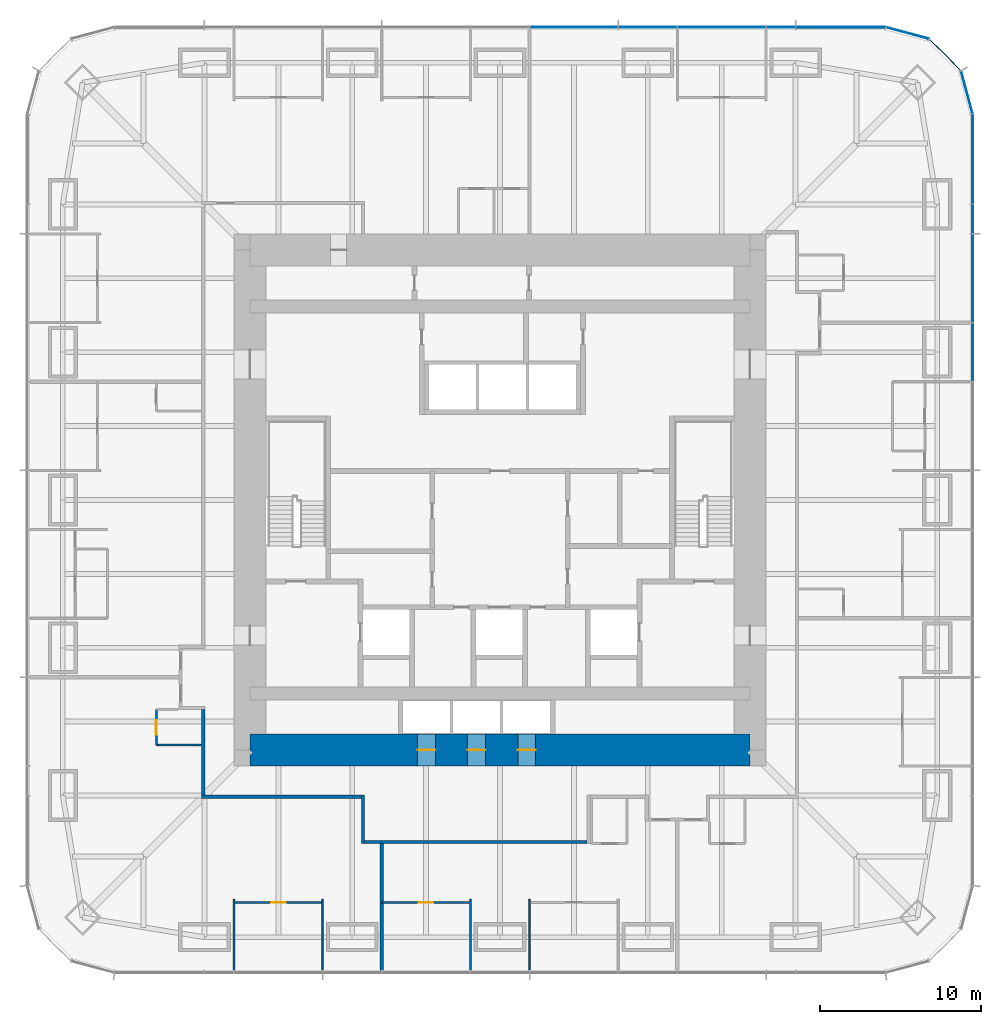
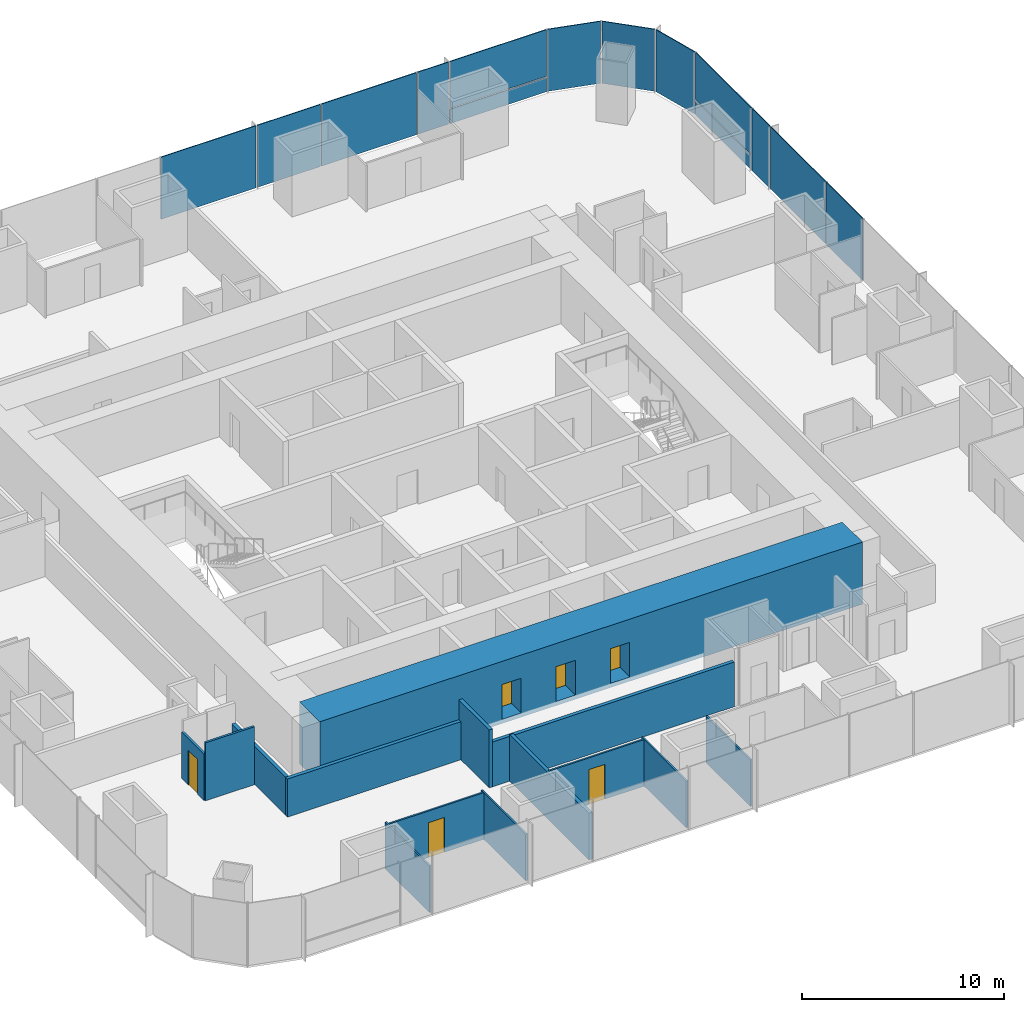
# One storey, part 8 of 13: 14 plates, 14 walls, 6 doors, 6 openings, 3 elements without a shape of their own.
"""IFC4 building model written with IfcOpenShell, lengths in metres."""

from ifc_helpers import new_model, si_unit, direction, frame, frame_2d, origin, origin_2d, place, context, subcontext, project, spatial, rectangle, extrude, material, layer, layer_set, type_object, element, fill, aggregate, save


model = new_model("IFC4")

# Units and contexts
model_context = context("Model", 3, precision=1e-05, world=origin(), true_north=direction((0.0, 1.0)))
body_context = subcontext(model_context, "Body", "Model", "MODEL_VIEW")
ifc_project = project(units=[si_unit("LENGTHUNIT", "METRE"), si_unit("AREAUNIT", "SQUARE_METRE"), si_unit("VOLUMEUNIT", "CUBIC_METRE"), si_unit("PLANEANGLEUNIT", "RADIAN"), si_unit("MASSUNIT", "GRAM", prefix="KILO")], contexts=[model_context])

# Site, building, storey
site_placement = place(None, origin())
site = spatial("IfcSite", under=ifc_project, at=site_placement, CompositionType="ELEMENT")
building_placement = place(site_placement, origin())
building = spatial("IfcBuilding", under=site, at=building_placement, Name="Khuree Lantern Residences", CompositionType="ELEMENT")
storey_placement = place(building_placement, frame((0.0, 0.0, 111.0)))
storey = spatial("IfcBuildingStorey", under=building, at=storey_placement, Name="L27", CompositionType="ELEMENT", Elevation=111.0)

# Curtain wall, plates
ifc_material_1 = material(Name="Bronze anodised aluminium", Category="aluminium")
curtain_wall_type_1 = type_object("IfcCurtainWallType", Name="CW-T2 TOWER CORNER CURTAIN WALL", PredefinedType="USERDEFINED", material=ifc_material_1)
curtain_wall_1_placement = place(storey_placement, origin())
curtain_wall_1 = element("IfcCurtainWall", 1, at=curtain_wall_1_placement, inside=storey, type_object=curtain_wall_type_1, Name="L27 NORTH-EAST CORNER CURTAIN WALL", ObjectType="Faceted corner curtain wall", PredefinedType="USERDEFINED")
ifc_material_2 = material(Name="Bronze tinted triple glazing", Category="glass")
ifc_layer_1 = layer(ifc_material_2, 0.048095703125)
ifc_layer_set_1 = layer_set([ifc_layer_1], Name="FACET PANEL P4")
plate_type_1 = type_object("IfcPlateType", Name="FACET PANEL P4", PredefinedType="CURTAIN_PANEL", material=ifc_layer_set_1)
plate_1_placement = place(storey_placement, frame((28.938720703125, 25.248046875, 0.0), z_axis=(0.0, 0.0, 1.0), x_axis=(-0.258819105321, 0.965925810153, 0.0)))
plate_1 = element("IfcPlate", 2, at=plate_1_placement, type_object=plate_type_1, Name="L27 NORTH-EAST CORNER PANEL 15.1", PredefinedType="CURTAIN_PANEL", context=body_context, shape_type="SweptSolid", body=[
    extrude(rectangle(XDim=2.71923828125, YDim=0.048095703125, at=origin_2d()), origin(), (0.0, 0.0, 1.0), 3.75),
])
plate_2_placement = place(storey_placement, frame((27.58837890625, 27.58837890625, 0.0), z_axis=(0.0, 0.0, 1.0), x_axis=(-0.707106781187, 0.707106781187, 0.0)))
plate_2 = element("IfcPlate", 3, at=plate_2_placement, type_object=plate_type_1, Name="L27 NORTH-EAST CORNER PANEL 16.1", PredefinedType="CURTAIN_PANEL", context=body_context, shape_type="SweptSolid", body=[
    extrude(rectangle(XDim=2.715087890625, YDim=0.048095703125, at=origin_2d()), origin(), (0.0, 0.0, 1.0), 3.75),
])
plate_3_placement = place(storey_placement, frame((25.248046875, 28.938720703125, 0.0), z_axis=(0.0, 0.0, 1.0), x_axis=(-0.965925810153, 0.258819105321, 0.0)))
plate_3 = element("IfcPlate", 4, at=plate_3_placement, type_object=plate_type_1, Name="L27 NORTH-EAST CORNER PANEL 17.1", PredefinedType="CURTAIN_PANEL", context=body_context, shape_type="SweptSolid", body=[
    extrude(rectangle(XDim=2.71923828125, YDim=0.048095703125, at=origin_2d()), origin(), (0.0, 0.0, 1.0), 3.75),
])
aggregate(curtain_wall_1, [plate_1, plate_2, plate_3])

# Curtain wall, plate
curtain_wall_type_2 = type_object("IfcCurtainWallType", Name="CW-T1 TOWER FACE CURTAIN WALL", PredefinedType="USERDEFINED", material=ifc_material_1)
curtain_wall_2_placement = place(storey_placement, origin())
curtain_wall_2 = element("IfcCurtainWall", 5, at=curtain_wall_2_placement, inside=storey, type_object=curtain_wall_type_2, Name="L27 EAST FACE CURTAIN WALL", ObjectType="Stick-built curtain wall", PredefinedType="USERDEFINED")
ifc_material_3 = material(Name="Bronze tinted triple glazing with a ceramic-fritted spandrel band", Category="glass")
ifc_layer_2 = layer(ifc_material_3, 0.048095703125)
ifc_layer_set_2 = layer_set([ifc_layer_2], Name="FIXED LIGHT PANEL P11")
plate_type_2 = type_object("IfcPlateType", Name="FIXED LIGHT PANEL P11", PredefinedType="CURTAIN_PANEL", material=ifc_layer_set_2)
plate_4_placement = place(storey_placement, frame((29.300048828125, 13.739990234375, 0.0), z_axis=(0.0, 0.0, 1.0), x_axis=(0.0, 1.0, 0.0)))
plate_4 = element("IfcPlate", 6, at=plate_4_placement, type_object=plate_type_2, Name="L27 EAST FACE PANEL 12.1", PredefinedType="CURTAIN_PANEL", context=body_context, shape_type="SweptSolid", body=[
    extrude(rectangle(XDim=5.430908203125, YDim=0.048095703125, at=origin_2d()), origin(), (0.0, 0.0, 1.0), 3.75),
])

# Curtain wall, plates
curtain_wall_3_placement = place(storey_placement, origin())
curtain_wall_3 = element("IfcCurtainWall", 7, at=curtain_wall_3_placement, inside=storey, type_object=curtain_wall_type_2, Name="L27 NORTH FACE CURTAIN WALL", ObjectType="Stick-built curtain wall", PredefinedType="USERDEFINED")
plate_5_placement = place(storey_placement, frame((13.739990234375, 29.300048828125, 0.0), z_axis=(0.0, 0.0, 1.0), x_axis=(-1.0, 0.0, 0.0)))
plate_5 = element("IfcPlate", 8, at=plate_5_placement, type_object=plate_type_2, Name="L27 NORTH FACE PANEL 20.1", PredefinedType="CURTAIN_PANEL", context=body_context, shape_type="SweptSolid", body=[
    extrude(rectangle(XDim=5.430908203125, YDim=0.048095703125, at=origin_2d()), origin(), (0.0, 0.0, 1.0), 3.75),
])
plate_6_placement = place(storey_placement, frame((4.580078125, 29.300048828125, 0.0), z_axis=(0.0, 0.0, 1.0), x_axis=(-1.0, 0.0, 0.0)))
plate_6 = element("IfcPlate", 9, at=plate_6_placement, type_object=plate_type_2, Name="L27 NORTH FACE PANEL 22.1", PredefinedType="CURTAIN_PANEL", context=body_context, shape_type="SweptSolid", body=[
    extrude(rectangle(XDim=5.430908203125, YDim=0.048095703125, at=origin_2d()), origin(), (0.0, 0.0, 1.0), 3.75),
])

# Plate
ifc_material_4 = material(Name="Bronze tinted triple glazing, two aluminium-framed sashes in one frame", Category="aluminium")
ifc_layer_3 = layer(ifc_material_4, 0.048095703125)
ifc_layer_set_3 = layer_set([ifc_layer_3], Name="SASH PAIR PANEL P12")
plate_type_3 = type_object("IfcPlateType", Name="SASH PAIR PANEL P12", PredefinedType="CURTAIN_PANEL", material=ifc_layer_set_3)
plate_7_placement = place(storey_placement, frame((29.300048828125, 9.159912109375, 0.0), z_axis=(0.0, 0.0, 1.0), x_axis=(0.0, 1.0, 0.0)))
plate_7 = element("IfcPlate", 10, at=plate_7_placement, type_object=plate_type_3, Name="L27 EAST FACE PANEL 11.1", PredefinedType="CURTAIN_PANEL", context=body_context, shape_type="SweptSolid", body=[
    extrude(rectangle(XDim=3.59912109375, YDim=0.048095703125, at=origin_2d()), origin(), (0.0, 0.0, 1.0), 3.75),
])

plate_8_placement = place(storey_placement, frame((9.159912109375, 29.300048828125, 0.0), z_axis=(0.0, 0.0, 1.0), x_axis=(-1.0, 0.0, 0.0)))
plate_8 = element("IfcPlate", 11, at=plate_8_placement, type_object=plate_type_3, Name="L27 NORTH FACE PANEL 21.1", PredefinedType="CURTAIN_PANEL", context=body_context, shape_type="SweptSolid", body=[
    extrude(rectangle(XDim=3.59912109375, YDim=0.048095703125, at=origin_2d()), origin(), (0.0, 0.0, 1.0), 3.75),
])

ifc_material_5 = material(Name="Bronze tinted triple glazing, aluminium-framed sash", Category="aluminium")
ifc_layer_4 = layer(ifc_material_5, 0.048095703125)
ifc_layer_set_4 = layer_set([ifc_layer_4], Name="SASH PANEL P3")
plate_type_4 = type_object("IfcPlateType", Name="SASH PANEL P3", PredefinedType="CURTAIN_PANEL", material=ifc_layer_set_4)
plate_9_placement = place(storey_placement, frame((29.300048828125, 17.404052734375, 0.0), z_axis=(0.0, 0.0, 1.0), x_axis=(0.0, 1.0, 0.0)))
plate_9 = element("IfcPlate", 12, at=plate_9_placement, type_object=plate_type_4, Name="L27 EAST FACE PANEL 13.1", PredefinedType="CURTAIN_PANEL", context=body_context, shape_type="SweptSolid", body=[
    extrude(rectangle(XDim=1.76708984375, YDim=0.048095703125, at=origin_2d()), origin(), (0.0, 0.0, 1.0), 3.75),
])

plate_10_placement = place(storey_placement, frame((17.404052734375, 29.300048828125, 0.0), z_axis=(0.0, 0.0, 1.0), x_axis=(-1.0, 0.0, 0.0)))
plate_10 = element("IfcPlate", 13, at=plate_10_placement, type_object=plate_type_4, Name="L27 NORTH FACE PANEL 19.1", PredefinedType="CURTAIN_PANEL", context=body_context, shape_type="SweptSolid", body=[
    extrude(rectangle(XDim=1.76708984375, YDim=0.048095703125, at=origin_2d()), origin(), (0.0, 0.0, 1.0), 3.75),
])

ifc_material_6 = material(Name="Bronze anodised aluminium insulated spandrel", Category="aluminium")
ifc_layer_5 = layer(ifc_material_6, 0.06005859375)
ifc_layer_set_5 = layer_set([ifc_layer_5], Name="SPANDREL PANEL P2")
plate_type_5 = type_object("IfcPlateType", Name="SPANDREL PANEL P2", PredefinedType="CURTAIN_PANEL", material=ifc_layer_set_5)
plate_11_placement = place(storey_placement, frame((29.300048828125, 21.10791015625, 0.0), z_axis=(0.0, 0.0, 1.0), x_axis=(0.0, 1.0, 0.0)))
plate_11 = element("IfcPlate", 14, at=plate_11_placement, type_object=plate_type_5, Name="L27 EAST FACE PANEL 14.1", PredefinedType="CURTAIN_PANEL", context=body_context, shape_type="SweptSolid", body=[
    extrude(rectangle(XDim=5.5107421875, YDim=0.06005859375, at=origin_2d()), origin(), (0.0, 0.0, 1.0), 0.867431640625),
])

plate_12_placement = place(storey_placement, frame((21.10791015625, 29.300048828125, 0.0), z_axis=(0.0, 0.0, 1.0), x_axis=(-1.0, 0.0, 0.0)))
plate_12 = element("IfcPlate", 15, at=plate_12_placement, type_object=plate_type_5, Name="L27 NORTH FACE PANEL 18.1", PredefinedType="CURTAIN_PANEL", context=body_context, shape_type="SweptSolid", body=[
    extrude(rectangle(XDim=5.5107421875, YDim=0.06005859375, at=origin_2d()), origin(), (0.0, 0.0, 1.0), 0.867431640625),
])

ifc_layer_6 = layer(ifc_material_2, 0.048095703125)
ifc_layer_set_6 = layer_set([ifc_layer_6], Name="VISION PANEL P1")
plate_type_6 = type_object("IfcPlateType", Name="VISION PANEL P1", PredefinedType="CURTAIN_PANEL", material=ifc_layer_set_6)
plate_13_placement = place(storey_placement, frame((29.300048828125, 21.1083984375, 0.9326171875), z_axis=(0.0, 0.0, 1.0), x_axis=(0.0, 1.0, 0.0)))
plate_13 = element("IfcPlate", 16, at=plate_13_placement, type_object=plate_type_6, Name="L27 EAST FACE PANEL 14.2", PredefinedType="CURTAIN_PANEL", context=body_context, shape_type="SweptSolid", body=[
    extrude(rectangle(XDim=5.511474609375, YDim=0.048095703125, at=origin_2d()), origin(), (0.0, 0.0, 1.0), 2.8173828125),
])

aggregate(curtain_wall_2, [plate_7, plate_4, plate_9, plate_11, plate_13])

plate_14_placement = place(storey_placement, frame((21.1083984375, 29.300048828125, 0.9326171875), z_axis=(0.0, 0.0, 1.0), x_axis=(-1.0, 0.0, 0.0)))
plate_14 = element("IfcPlate", 17, at=plate_14_placement, type_object=plate_type_6, Name="L27 NORTH FACE PANEL 18.2", PredefinedType="CURTAIN_PANEL", context=body_context, shape_type="SweptSolid", body=[
    extrude(rectangle(XDim=5.511474609375, YDim=0.048095703125, at=origin_2d()), origin(), (0.0, 0.0, 1.0), 2.8173828125),
])

aggregate(curtain_wall_3, [plate_12, plate_14, plate_10, plate_5, plate_8, plate_6])

# Wall, opening, door
ifc_material_7 = material(Name="Moisture-resistant gypsum board on steel studs", Category="steel")
ifc_layer_7 = layer(ifc_material_7, 0.125)
ifc_layer_set_7 = layer_set([ifc_layer_7], Name="BATHROOM WALL BTW125")
wall_type_1 = type_object("IfcWallType", Name="BATHROOM WALL BTW125", PredefinedType="PARTITIONING", material=ifc_layer_set_7)
wall_1_placement = place(storey_placement, frame((-21.300048828125, -12.991943359375, 0.0), z_axis=(0.0, 0.0, 1.0), x_axis=(0.0, -1.0, 0.0)))
wall_1 = element("IfcWall", 18, at=wall_1_placement, inside=storey, type_object=wall_type_1, Name="L27 BATHROOM WALL 05", PredefinedType="PARTITIONING", context=body_context, shape_type="SweptSolid", body=[
    extrude(rectangle(XDim=2.199951171875, YDim=0.125, at=frame_2d((1.10009765625, 0.0))), origin(), (0.0, 0.0, 1.0), 2.81005859375),
])
opening_1_placement = place(wall_1_placement, frame((0.64990234375, 0.0, 0.0)))
opening_1 = element("IfcOpeningElement", 19, at=opening_1_placement, cuts=wall_1, Name="Opening 27-046", PredefinedType="OPENING", context=body_context, shape_type="SweptSolid", body=[
    extrude(rectangle(XDim=0.89990234375, YDim=2.10009765625, at=frame_2d((0.449951171875, 1.050048828125))), frame((0.0, 0.072509765625, 0.0), z_axis=(0.0, -1.0, 0.0), x_axis=(1.0, 0.0, 0.0)), (0.0, 0.0, 1.0), 0.14501953125),
])
ifc_material_8 = material(Name="Timber door leaf in hardwood frame", Category="wood")
door_type_1 = type_object("IfcDoorType", Name="BATHROOM DOOR 900X2100", OperationType="SINGLE_SWING_LEFT", PredefinedType="DOOR", material=ifc_material_8)
door_1_placement = place(opening_1_placement, origin())
door_1 = element("IfcDoor", 20, at=door_1_placement, inside=storey, type_object=door_type_1, Name="Bathroom door 27-046", OperationType="SINGLE_SWING_LEFT", OverallHeight=2.10009765625, OverallWidth=0.89990234375, PredefinedType="DOOR", context=body_context, shape_type="SweptSolid", body=[
    extrude(rectangle(XDim=0.89990234375, YDim=2.10009765625, at=frame_2d((0.449951171875, 1.050048828125))), frame((0.0, 0.02490234375, 0.0), z_axis=(0.0, -1.0, 0.0), x_axis=(1.0, 0.0, 0.0)), (0.0, 0.0, 1.0), 0.050048828125),
])
fill(opening_1, door_1)

# Walls
wall_2_placement = place(storey_placement, frame((-18.5, -15.19189453125, 0.0), z_axis=(0.0, 0.0, 1.0), x_axis=(-1.0, 0.0, 0.0)))
element("IfcWall", 21, at=wall_2_placement, inside=storey, type_object=wall_type_1, Name="L27 BATHROOM WALL 05", PredefinedType="PARTITIONING", context=body_context, shape_type="SweptSolid", body=[
    extrude(rectangle(XDim=2.800048828125, YDim=0.125, at=frame_2d((1.39990234375, 0.0))), origin(), (0.0, 0.0, 1.0), 3.5),
])
ifc_material_9 = material(Name="Gypsum board on steel studs", Category="steel")
ifc_layer_8 = layer(ifc_material_9, 0.199951171875)
ifc_layer_set_8 = layer_set([ifc_layer_8], Name="CORRIDOR WALL CRW200 EI 60")
wall_type_2 = type_object("IfcWallType", Name="CORRIDOR WALL CRW200 EI 60", PredefinedType="PARTITIONING", material=ifc_layer_set_8)
wall_3_placement = place(storey_placement, frame((-18.39990234375, -12.991943359375, 0.0), z_axis=(0.0, 0.0, 1.0), x_axis=(0.0, -1.0, 0.0)))
element("IfcWall", 22, at=wall_3_placement, inside=storey, type_object=wall_type_2, Name="L27 CORRIDOR WALL WEST 2", PredefinedType="PARTITIONING", context=body_context, shape_type="SweptSolid", body=[
    extrude(rectangle(XDim=5.30810546875, YDim=0.199951171875, at=frame_2d((2.654052734375, 0.0))), origin(), (0.0, 0.0, 1.0), 2.300048828125),
])
wall_4_placement = place(storey_placement, frame((-8.5, -18.300048828125, 0.0), z_axis=(0.0, 0.0, 1.0), x_axis=(0.0, -1.0, 0.0)))
element("IfcWall", 23, at=wall_4_placement, inside=storey, type_object=wall_type_2, Name="L27 LIFT LOBBY WALL", PredefinedType="PARTITIONING", context=body_context, shape_type="SweptSolid", body=[
    extrude(rectangle(XDim=3.0, YDim=0.199951171875, at=frame_2d((1.5, 0.0))), origin(), (0.0, 0.0, 1.0), 3.5),
])
wall_5_placement = place(storey_placement, frame((5.39990234375, -21.199951171875, 0.0), z_axis=(0.0, 0.0, 1.0), x_axis=(-1.0, 0.0, 0.0)))
element("IfcWall", 24, at=wall_5_placement, inside=storey, type_object=wall_type_2, Name="L27 LIFT LOBBY WALL", PredefinedType="PARTITIONING", context=body_context, shape_type="SweptSolid", body=[
    extrude(rectangle(XDim=13.7998046875, YDim=0.199951171875, at=frame_2d((6.89990234375, 0.0))), origin(), (0.0, 0.0, 1.0), 2.699951171875),
])
wall_6_placement = place(storey_placement, frame((-8.60009765625, -18.39990234375, 0.0), z_axis=(0.0, 0.0, 1.0), x_axis=(-1.0, 0.0, 0.0)))
element("IfcWall", 25, at=wall_6_placement, inside=storey, type_object=wall_type_2, Name="L27 CORRIDOR WALL SOUTH 3", PredefinedType="PARTITIONING", context=body_context, shape_type="SweptSolid", body=[
    extrude(rectangle(XDim=9.89990234375, YDim=0.199951171875, at=frame_2d((4.949951171875, 0.0))), origin(), (0.0, 0.0, 1.0), 2.300048828125),
])

# Wall, openings, doors
ifc_material_10 = material(Name="Concrete C70/85", Category="concrete")
ifc_layer_9 = layer(ifc_material_10, 2.0)
ifc_layer_set_9 = layer_set([ifc_layer_9], Name="CW2000-C70 CORE WALL C70 2000")
wall_type_3 = type_object("IfcWallType", Name="CW2000-C70 CORE WALL C70 2000", PredefinedType="SHEAR", material=ifc_layer_set_9)
wall_7_placement = place(storey_placement, frame((-15.5, -15.5, -0.25), z_axis=(0.0, 0.0, 1.0), x_axis=(1.0, 0.0, 0.0)))
wall_7 = element("IfcWall", 26, at=wall_7_placement, inside=storey, type_object=wall_type_3, Name="Core wall S", PredefinedType="SHEAR", context=body_context, shape_type="SweptSolid", body=[
    extrude(rectangle(XDim=31.0, YDim=2.0, at=frame_2d((15.5, 0.0))), origin(), (0.0, 0.0, 1.0), 3.75),
])
opening_2_placement = place(wall_7_placement, frame((10.39990234375, 0.0, 0.25)))
opening_2 = element("IfcOpeningElement", 27, at=opening_2_placement, cuts=wall_7, Name="Opening 27-009", PredefinedType="OPENING", context=body_context, shape_type="SweptSolid", body=[
    extrude(rectangle(XDim=1.10009765625, YDim=2.10009765625, at=frame_2d((0.550048828125, 1.050048828125))), frame((0.0, 1.010009765625, 0.0), z_axis=(0.0, -1.0, 0.0), x_axis=(1.0, 0.0, 0.0)), (0.0, 0.0, 1.0), 2.02001953125),
])
opening_3_placement = place(wall_7_placement, frame((13.5, 0.0, 0.25)))
opening_3 = element("IfcOpeningElement", 28, at=opening_3_placement, cuts=wall_7, Name="Opening 27-010", PredefinedType="OPENING", context=body_context, shape_type="SweptSolid", body=[
    extrude(rectangle(XDim=1.10009765625, YDim=2.10009765625, at=frame_2d((0.550048828125, 1.050048828125))), frame((0.0, 1.010009765625, 0.0), z_axis=(0.0, -1.0, 0.0), x_axis=(1.0, 0.0, 0.0)), (0.0, 0.0, 1.0), 2.02001953125),
])
opening_4_placement = place(wall_7_placement, frame((16.60009765625, 0.0, 0.25)))
opening_4 = element("IfcOpeningElement", 29, at=opening_4_placement, cuts=wall_7, Name="Opening 27-011", PredefinedType="OPENING", context=body_context, shape_type="SweptSolid", body=[
    extrude(rectangle(XDim=1.10009765625, YDim=2.10009765625, at=frame_2d((0.550048828125, 1.050048828125))), frame((0.0, 1.010009765625, 0.0), z_axis=(0.0, -1.0, 0.0), x_axis=(1.0, 0.0, 0.0)), (0.0, 0.0, 1.0), 2.02001953125),
])
ifc_material_11 = material(Name="Stainless steel lift landing door", Category="steel")
door_type_2 = type_object("IfcDoorType", Name="LIFT LANDING DOOR 1100X2100 E 60", OperationType="DOUBLE_DOOR_SLIDING", PredefinedType="DOOR", material=ifc_material_11)
door_2_placement = place(opening_2_placement, origin())
door_2 = element("IfcDoor", 30, at=door_2_placement, inside=storey, type_object=door_type_2, Name="Landing door PM1 27-009", OperationType="DOUBLE_DOOR_SLIDING", OverallHeight=2.10009765625, OverallWidth=1.10009765625, PredefinedType="DOOR", context=body_context, shape_type="SweptSolid", body=[
    extrude(rectangle(XDim=1.10009765625, YDim=2.10009765625, at=frame_2d((0.550048828125, 1.050048828125))), frame((0.0, 0.02490234375, 0.0), z_axis=(0.0, -1.0, 0.0), x_axis=(1.0, 0.0, 0.0)), (0.0, 0.0, 1.0), 0.050048828125),
])
fill(opening_2, door_2)
door_3_placement = place(opening_3_placement, origin())
door_3 = element("IfcDoor", 31, at=door_3_placement, inside=storey, type_object=door_type_2, Name="Landing door PM2 27-010", OperationType="DOUBLE_DOOR_SLIDING", OverallHeight=2.10009765625, OverallWidth=1.10009765625, PredefinedType="DOOR", context=body_context, shape_type="SweptSolid", body=[
    extrude(rectangle(XDim=1.10009765625, YDim=2.10009765625, at=frame_2d((0.550048828125, 1.050048828125))), frame((0.0, 0.02490234375, 0.0), z_axis=(0.0, -1.0, 0.0), x_axis=(1.0, 0.0, 0.0)), (0.0, 0.0, 1.0), 0.050048828125),
])
fill(opening_3, door_3)
door_4_placement = place(opening_4_placement, origin())
door_4 = element("IfcDoor", 32, at=door_4_placement, inside=storey, type_object=door_type_2, Name="Landing door PM3 27-011", OperationType="DOUBLE_DOOR_SLIDING", OverallHeight=2.10009765625, OverallWidth=1.10009765625, PredefinedType="DOOR", context=body_context, shape_type="SweptSolid", body=[
    extrude(rectangle(XDim=1.10009765625, YDim=2.10009765625, at=frame_2d((0.550048828125, 1.050048828125))), frame((0.0, 0.02490234375, 0.0), z_axis=(0.0, -1.0, 0.0), x_axis=(1.0, 0.0, 0.0)), (0.0, 0.0, 1.0), 0.050048828125),
])
fill(opening_4, door_4)

# Walls
ifc_layer_10 = layer(ifc_material_9, 0.199951171875)
ifc_layer_set_10 = layer_set([ifc_layer_10], Name="DEMISING WALL DMW200 EI 90")
wall_type_4 = type_object("IfcWallType", Name="DEMISING WALL DMW200 EI 90", PredefinedType="PARTITIONING", material=ifc_layer_set_10)
wall_8_placement = place(storey_placement, frame((-7.327880859375, -21.300048828125, 0.0), z_axis=(0.0, 0.0, 1.0), x_axis=(0.0, -1.0, 0.0)))
element("IfcWall", 33, at=wall_8_placement, inside=storey, type_object=wall_type_4, Name="L27 DEMISING WALL 06", PredefinedType="PARTITIONING", context=body_context, shape_type="SweptSolid", body=[
    extrude(rectangle(XDim=7.849853515625, YDim=0.199951171875, at=frame_2d((3.9248046875, 0.0))), origin(), (0.0, 0.0, 1.0), 2.81005859375),
])
ifc_layer_11 = layer(ifc_material_9, 0.10009765625)
ifc_layer_set_11 = layer_set([ifc_layer_11], Name="PARTITION PT100")
wall_type_5 = type_object("IfcWallType", Name="PARTITION PT100", PredefinedType="PARTITIONING", material=ifc_layer_set_11)
for number, where, z_axis, x_axis, name in (
    (34, (-16.488037109375, -24.75, 0.0), (0.0, 0.0, 1.0), (0.0, -1.0, 0.0), "L27 PARTITION 05"),
    (35, (-10.991943359375, -24.75, 0.0), (0.0, 0.0, 1.0), (0.0, -1.0, 0.0), "L27 PARTITION 05"),
    (36, (-1.83203125, -24.75, 0.0), (0.0, 0.0, 1.0), (0.0, -1.0, 0.0), "L27 PARTITION 06"),
    (37, (1.83203125, -24.75, 0.0), (0.0, 0.0, 1.0), (0.0, -1.0, 0.0), "L27 PARTITION 06"),
):
    element("IfcWall", number, at=place(storey_placement, frame(where, z_axis=z_axis, x_axis=x_axis)), inside=storey, type_object=wall_type_5, Name=name, PredefinedType="PARTITIONING", context=body_context, shape_type="SweptSolid", body=[
        extrude(rectangle(XDim=4.39990234375, YDim=0.10009765625, at=frame_2d((2.199951171875, 0.0))), origin(), (0.0, 0.0, 1.0), 2.81005859375),
    ])

# Wall, opening, door
wall_9_placement = place(storey_placement, frame((-16.488037109375, -24.949951171875, 0.0), z_axis=(0.0, 0.0, 1.0), x_axis=(1.0, 0.0, 0.0)))
wall_9 = element("IfcWall", 38, at=wall_9_placement, inside=storey, type_object=wall_type_5, Name="L27 PARTITION 05", PredefinedType="PARTITIONING", context=body_context, shape_type="SweptSolid", body=[
    extrude(rectangle(XDim=5.49609375, YDim=0.10009765625, at=frame_2d((2.748046875, 0.0))), origin(), (0.0, 0.0, 1.0), 2.81005859375),
])
opening_5_placement = place(wall_9_placement, frame((2.298095703125, 0.0, 0.0)))
opening_5 = element("IfcOpeningElement", 39, at=opening_5_placement, cuts=wall_9, Name="Opening 27-045", PredefinedType="OPENING", context=body_context, shape_type="SweptSolid", body=[
    extrude(rectangle(XDim=0.89990234375, YDim=2.10009765625, at=frame_2d((0.449951171875, 1.050048828125))), frame((0.0, 0.06005859375, 0.0), z_axis=(0.0, -1.0, 0.0), x_axis=(1.0, 0.0, 0.0)), (0.0, 0.0, 1.0), 0.1201171875),
])
door_type_3 = type_object("IfcDoorType", Name="BEDROOM DOOR 900X2100", OperationType="SINGLE_SWING_LEFT", PredefinedType="DOOR", material=ifc_material_8)
door_5_placement = place(opening_5_placement, origin())
door_5 = element("IfcDoor", 40, at=door_5_placement, inside=storey, type_object=door_type_3, Name="Bedroom door 27-045", OperationType="SINGLE_SWING_LEFT", OverallHeight=2.10009765625, OverallWidth=0.89990234375, PredefinedType="DOOR", context=body_context, shape_type="SweptSolid", body=[
    extrude(rectangle(XDim=0.89990234375, YDim=2.10009765625, at=frame_2d((0.449951171875, 1.050048828125))), frame((0.0, 0.02490234375, 0.0), z_axis=(0.0, -1.0, 0.0), x_axis=(1.0, 0.0, 0.0)), (0.0, 0.0, 1.0), 0.050048828125),
])
fill(opening_5, door_5)

wall_10_placement = place(storey_placement, frame((-7.327880859375, -24.949951171875, 0.0), z_axis=(0.0, 0.0, 1.0), x_axis=(1.0, 0.0, 0.0)))
wall_10 = element("IfcWall", 41, at=wall_10_placement, inside=storey, type_object=wall_type_5, Name="L27 PARTITION 06", PredefinedType="PARTITIONING", context=body_context, shape_type="SweptSolid", body=[
    extrude(rectangle(XDim=5.495849609375, YDim=0.10009765625, at=frame_2d((2.748046875, 0.0))), origin(), (0.0, 0.0, 1.0), 2.81005859375),
])
opening_6_placement = place(wall_10_placement, frame((2.298095703125, 0.0, 0.0)))
opening_6 = element("IfcOpeningElement", 42, at=opening_6_placement, cuts=wall_10, Name="Opening 27-048", PredefinedType="OPENING", context=body_context, shape_type="SweptSolid", body=[
    extrude(rectangle(XDim=0.89990234375, YDim=2.10009765625, at=frame_2d((0.449951171875, 1.050048828125))), frame((0.0, 0.06005859375, 0.0), z_axis=(0.0, -1.0, 0.0), x_axis=(1.0, 0.0, 0.0)), (0.0, 0.0, 1.0), 0.1201171875),
])
door_6_placement = place(opening_6_placement, origin())
door_6 = element("IfcDoor", 43, at=door_6_placement, inside=storey, type_object=door_type_3, Name="Bedroom door 27-048", OperationType="SINGLE_SWING_LEFT", OverallHeight=2.10009765625, OverallWidth=0.89990234375, PredefinedType="DOOR", context=body_context, shape_type="SweptSolid", body=[
    extrude(rectangle(XDim=0.89990234375, YDim=2.10009765625, at=frame_2d((0.449951171875, 1.050048828125))), frame((0.0, 0.02490234375, 0.0), z_axis=(0.0, -1.0, 0.0), x_axis=(1.0, 0.0, 0.0)), (0.0, 0.0, 1.0), 0.050048828125),
])
fill(opening_6, door_6)

save(model, "model.ifc")
